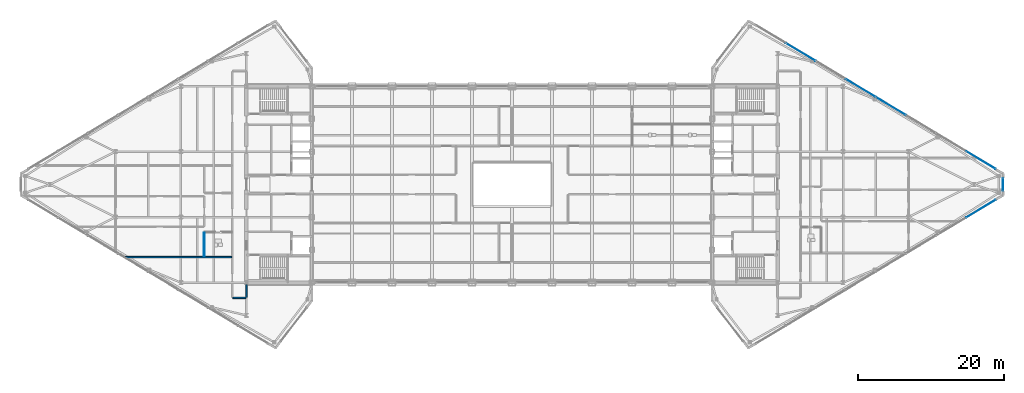
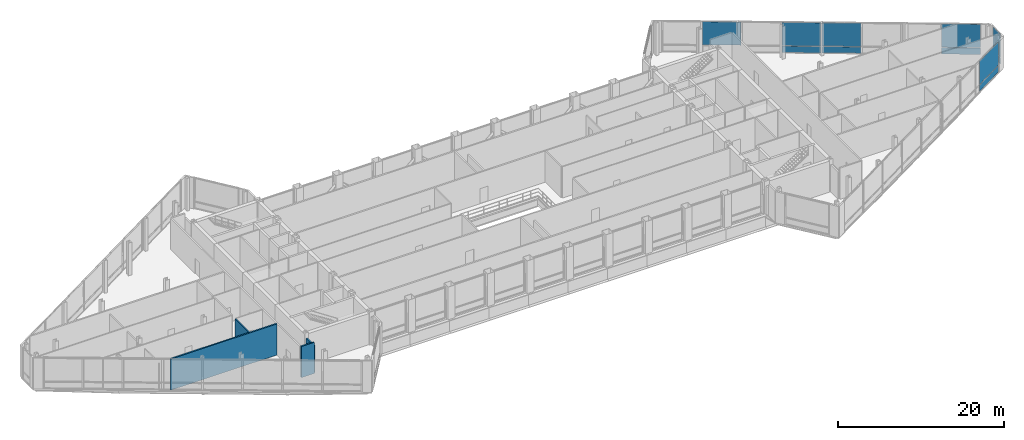
# One storey, part 21 of 30: 11 plates, 4 walls, 3 elements without a shape of their own.
"""IFC4 building model written with IfcOpenShell, lengths in metres."""

from ifc_helpers import new_model, si_unit, direction, frame, frame_2d, origin, origin_2d, place, context, subcontext, project, spatial, rectangle, extrude, source, transform, mapped, material, layer, layer_set, type_object, type_shapes, element, aggregate, save


model = new_model("IFC4")

# Units and contexts
model_context = context("Model", 3, precision=1e-05, world=origin(), true_north=direction((0.0, 1.0)))
body_context = subcontext(model_context, "Body", "Model", "MODEL_VIEW")
ifc_project = project(units=[si_unit("LENGTHUNIT", "METRE"), si_unit("AREAUNIT", "SQUARE_METRE"), si_unit("VOLUMEUNIT", "CUBIC_METRE"), si_unit("PLANEANGLEUNIT", "RADIAN"), si_unit("MASSUNIT", "GRAM", prefix="KILO")], contexts=[model_context])

# Site, building, storey
site_placement = place(None, origin())
site = spatial("IfcSite", under=ifc_project, at=site_placement, CompositionType="ELEMENT")
building_placement = place(site_placement, origin())
building = spatial("IfcBuilding", under=site, at=building_placement, Name="Seokmaru Belvedere", CompositionType="ELEMENT")
storey_placement = place(building_placement, frame((0.0, 0.0, 234.60009765625)))
storey = spatial("IfcBuildingStorey", under=building, at=storey_placement, Name="L62", CompositionType="ELEMENT", Elevation=234.60009765625)

# Curtain wall, plate
ifc_material_1 = material(Name="Bronze Triple Insulating Glass", Category="glass")
ifc_layer_1 = layer(ifc_material_1, 0.219970703125)
ifc_layer_set_1 = layer_set([ifc_layer_1], Name="Bronze Triple Insulating Glass")
curtain_wall_type = type_object("IfcCurtainWallType", Name="Sky-Gate Bridge Panorama Curtain Wall System CW-6", PredefinedType="NOTDEFINED", material=ifc_layer_set_1)
curtain_wall_1_placement = place(storey_placement, origin())
curtain_wall_1 = element("IfcCurtainWall", 1, at=curtain_wall_1_placement, inside=storey, type_object=curtain_wall_type, Name="L62 Curtain Wall EF1", PredefinedType="NOTDEFINED")
ifc_layer_2 = layer(ifc_material_1, 0.048095703125)
ifc_layer_set_2 = layer_set([ifc_layer_2], Name="Bronze Triple Insulating Glass")
plate_type_1 = type_object("IfcPlateType", Name="Insulated Bronze Spandrel Glazing Panel 48", PredefinedType="CURTAIN_PANEL", material=ifc_layer_set_2)
shared_shape_1 = source(origin(), body_context, "Body", "SweptSolid", [
    extrude(rectangle(XDim=4.694580078125, YDim=0.0419921875, at=origin_2d()), origin(), (0.0, 0.0, 1.0), 0.9375),
])
plate_1_placement = place(storey_placement, frame((64.4326171875, -3.340576171875, 0.074951171875), z_axis=(0.0, 0.0, 1.0), x_axis=(0.85749343335, 0.514494909364, 0.0)))
plate_1 = element("IfcPlate", 2, at=plate_1_placement, type_object=plate_type_1, Name="CW:L62:EF1 Glazing Panel 8-1", PredefinedType="CURTAIN_PANEL", context=body_context, shape_type="MappedRepresentation", body=[
    mapped(shared_shape_1, transform((0.0, 0.0, 0.0), scale=1.0)),
])

# Curtain wall, plates
curtain_wall_2_placement = place(storey_placement, origin())
curtain_wall_2 = element("IfcCurtainWall", 3, at=curtain_wall_2_placement, inside=storey, type_object=curtain_wall_type, Name="L62 Curtain Wall EF3", PredefinedType="NOTDEFINED")
plate_2_placement = place(storey_placement, frame((64.4326171875, 3.340576171875, 0.074951171875), z_axis=(0.0, 0.0, 1.0), x_axis=(-0.85749343335, 0.514494909364, 0.0)))
plate_2 = element("IfcPlate", 4, at=plate_2_placement, type_object=plate_type_1, Name="CW:L62:EF3 Glazing Panel 1-1", PredefinedType="CURTAIN_PANEL", context=body_context, shape_type="MappedRepresentation", body=[
    mapped(shared_shape_1, transform((0.0, 0.0, 0.0), scale=1.0)),
])
shared_shape_2 = source(origin(), body_context, "Body", "SweptSolid", [
    extrude(rectangle(XDim=4.734619140625, YDim=0.0419921875, at=origin_2d()), origin(), (0.0, 0.0, 1.0), 0.9375),
])
plate_3_placement = place(storey_placement, frame((52.064208984375, 10.761474609375, 0.074951171875), z_axis=(0.0, 0.0, 1.0), x_axis=(-0.85749343335, 0.514494909364, 0.0)))
plate_3 = element("IfcPlate", 5, at=plate_3_placement, type_object=plate_type_1, Name="CW:L62:EF3 Glazing Panel 4-1", PredefinedType="CURTAIN_PANEL", context=body_context, shape_type="MappedRepresentation", body=[
    mapped(shared_shape_2, transform((0.0, 0.0, 0.0), scale=1.0)),
])
plate_4_placement = place(storey_placement, frame((47.935791015625, 13.238525390625, 0.074951171875), z_axis=(0.0, 0.0, 1.0), x_axis=(-0.85749343335, 0.514494909364, 0.0)))
plate_4 = element("IfcPlate", 6, at=plate_4_placement, type_object=plate_type_1, Name="CW:L62:EF3 Glazing Panel 5-1", PredefinedType="CURTAIN_PANEL", context=body_context, shape_type="MappedRepresentation", body=[
    mapped(shared_shape_2, transform((0.0, 0.0, 0.0), scale=1.0)),
])

# Curtain wall, plate
curtain_wall_3_placement = place(storey_placement, origin())
curtain_wall_3 = element("IfcCurtainWall", 7, at=curtain_wall_3_placement, inside=storey, type_object=curtain_wall_type, Name="L62 Curtain Wall EF2", PredefinedType="NOTDEFINED")
shared_shape_3 = source(origin(), body_context, "Body", "SweptSolid", [
    extrude(rectangle(XDim=1.739990234375, YDim=0.0419921875, at=origin_2d()), origin(), (0.0, 0.0, 1.0), 0.9375),
])
type_shapes(plate_type_1, [shared_shape_1, shared_shape_2, shared_shape_3])
plate_5_placement = place(storey_placement, frame((67.5, 0.0, 0.074951171875), z_axis=(0.0, 0.0, 1.0), x_axis=(0.0, 1.0, 0.0)))
plate_5 = element("IfcPlate", 8, at=plate_5_placement, type_object=plate_type_1, Name="CW:L62:EF2 Glazing Panel 1-1", PredefinedType="CURTAIN_PANEL", context=body_context, shape_type="MappedRepresentation", body=[
    mapped(shared_shape_3, transform((0.0, 0.0, 0.0), scale=1.0)),
])

# Plate
ifc_layer_3 = layer(ifc_material_1, 0.0419921875)
ifc_layer_set_3 = layer_set([ifc_layer_3], Name="Bronze Triple Insulating Glass")
plate_type_2 = type_object("IfcPlateType", Name="Acoustic Laminated Panorama Glazing Panel 42", PredefinedType="CURTAIN_PANEL", material=ifc_layer_set_3)
shared_shape_4 = source(origin(), body_context, "Body", "SweptSolid", [
    extrude(rectangle(XDim=4.694580078125, YDim=0.0419921875, at=origin_2d()), origin(), (0.0, 0.0, 1.0), 3.41748046875),
])
plate_6_placement = place(storey_placement, frame((64.4326171875, -3.340576171875, 1.08740234375), z_axis=(0.0, 0.0, 1.0), x_axis=(0.85749343335, 0.514494909364, 0.0)))
plate_6 = element("IfcPlate", 9, at=plate_6_placement, type_object=plate_type_2, Name="CW:L62:EF1 Glazing Panel 8-2", PredefinedType="CURTAIN_PANEL", context=body_context, shape_type="MappedRepresentation", body=[
    mapped(shared_shape_4, transform((0.0, 0.0, 0.0), scale=1.0)),
])

aggregate(curtain_wall_1, [plate_1, plate_6])

plate_7_placement = place(storey_placement, frame((64.4326171875, 3.340576171875, 1.08740234375), z_axis=(0.0, 0.0, 1.0), x_axis=(-0.85749343335, 0.514494909364, 0.0)))
plate_7 = element("IfcPlate", 10, at=plate_7_placement, type_object=plate_type_2, Name="CW:L62:EF3 Glazing Panel 1-2", PredefinedType="CURTAIN_PANEL", context=body_context, shape_type="MappedRepresentation", body=[
    mapped(shared_shape_4, transform((0.0, 0.0, 0.0), scale=1.0)),
])

shared_shape_5 = source(origin(), body_context, "Body", "SweptSolid", [
    extrude(rectangle(XDim=4.734619140625, YDim=0.0419921875, at=origin_2d()), origin(), (0.0, 0.0, 1.0), 3.41748046875),
])
plate_8_placement = place(storey_placement, frame((52.064208984375, 10.761474609375, 1.08740234375), z_axis=(0.0, 0.0, 1.0), x_axis=(-0.85749343335, 0.514494909364, 0.0)))
plate_8 = element("IfcPlate", 11, at=plate_8_placement, type_object=plate_type_2, Name="CW:L62:EF3 Glazing Panel 4-2", PredefinedType="CURTAIN_PANEL", context=body_context, shape_type="MappedRepresentation", body=[
    mapped(shared_shape_5, transform((0.0, 0.0, 0.0), scale=1.0)),
])

plate_9_placement = place(storey_placement, frame((47.935791015625, 13.238525390625, 1.08740234375), z_axis=(0.0, 0.0, 1.0), x_axis=(-0.85749343335, 0.514494909364, 0.0)))
plate_9 = element("IfcPlate", 12, at=plate_9_placement, type_object=plate_type_2, Name="CW:L62:EF3 Glazing Panel 5-2", PredefinedType="CURTAIN_PANEL", context=body_context, shape_type="MappedRepresentation", body=[
    mapped(shared_shape_5, transform((0.0, 0.0, 0.0), scale=1.0)),
])

plate_10_placement = place(storey_placement, frame((39.6787109375, 18.192626953125, 1.08740234375), z_axis=(0.0, 0.0, 1.0), x_axis=(-0.85749343335, 0.514494909364, 0.0)))
plate_10 = element("IfcPlate", 13, at=plate_10_placement, type_object=plate_type_2, Name="CW:L62:EF3 Glazing Panel 7-2", PredefinedType="CURTAIN_PANEL", context=body_context, shape_type="MappedRepresentation", body=[
    mapped(shared_shape_5, transform((0.0, 0.0, 0.0), scale=1.0)),
])

aggregate(curtain_wall_2, [plate_2, plate_7, plate_3, plate_8, plate_4, plate_9, plate_10])

shared_shape_6 = source(origin(), body_context, "Body", "SweptSolid", [
    extrude(rectangle(XDim=1.739990234375, YDim=0.0419921875, at=origin_2d()), origin(), (0.0, 0.0, 1.0), 3.41748046875),
])
type_shapes(plate_type_2, [shared_shape_4, shared_shape_5, shared_shape_6])
plate_11_placement = place(storey_placement, frame((67.5, 0.0, 1.08740234375), z_axis=(0.0, 0.0, 1.0), x_axis=(0.0, 1.0, 0.0)))
plate_11 = element("IfcPlate", 14, at=plate_11_placement, type_object=plate_type_2, Name="CW:L62:EF2 Glazing Panel 1-2", PredefinedType="CURTAIN_PANEL", context=body_context, shape_type="MappedRepresentation", body=[
    mapped(shared_shape_6, transform((0.0, 0.0, 0.0), scale=1.0)),
])

aggregate(curtain_wall_3, [plate_5, plate_11])

# Walls
ifc_material_2 = material(Name="Fire-Rated Gypsum Shaftwall")
ifc_layer_4 = layer(ifc_material_2, 0.199951171875)
ifc_layer_set_4 = layer_set([ifc_layer_4], Name="Fire-Rated Gypsum Shaftwall")
wall_type_1 = type_object("IfcWallType", Name="Inter-Tenancy Fire Compartment Partition 200", PredefinedType="PARTITIONING", material=ifc_layer_set_4)
wall_1_placement = place(storey_placement, frame((-38.364990234375, -15.60009765625, 0.0), z_axis=(0.0, 0.0, 1.0), x_axis=(1.0, 0.0, 0.0)))
element("IfcWall", 15, at=wall_1_placement, inside=storey, type_object=wall_type_1, Name="L62 Interior Partition 001", PredefinedType="PARTITIONING", context=body_context, shape_type="SweptSolid", body=[
    extrude(rectangle(XDim=1.780029296875, YDim=0.199951171875, at=frame_2d((0.89013671875, 0.0))), origin(), (0.0, 0.0, 1.0), 4.579833984375),
])
wall_2_placement = place(storey_placement, frame((-53.343017578125, -10.0, 0.0), z_axis=(0.0, 0.0, 1.0), x_axis=(1.0, 0.0, 0.0)))
element("IfcWall", 16, at=wall_2_placement, inside=storey, type_object=wall_type_1, Name="L62 Interior Partition 004", PredefinedType="PARTITIONING", context=body_context, shape_type="SweptSolid", body=[
    extrude(rectangle(XDim=14.81298828125, YDim=0.199951171875, at=frame_2d((7.406494140625, 0.0))), origin(), (0.0, 0.0, 1.0), 4.579833984375),
])
wall_3_placement = place(storey_placement, frame((-36.5, -15.514892578125, 0.0), z_axis=(0.0, 0.0, 1.0), x_axis=(0.0, 1.0, 0.0)))
element("IfcWall", 17, at=wall_3_placement, inside=storey, type_object=wall_type_1, Name="L62 Interior Partition 031", PredefinedType="PARTITIONING", context=body_context, shape_type="SweptSolid", body=[
    extrude(rectangle(XDim=1.760009765625, YDim=0.199951171875, at=frame_2d((0.8798828125, 0.0))), origin(), (0.0, 0.0, 1.0), 3.97998046875),
])
ifc_layer_5 = layer(ifc_material_2, 0.1298828125)
ifc_layer_set_5 = layer_set([ifc_layer_5], Name="Fire-Rated Gypsum Shaftwall")
wall_type_2 = type_object("IfcWallType", Name="Moisture-Resistant Fire-Rated Bathroom Partition 130", PredefinedType="PARTITIONING", material=ifc_layer_set_5)
wall_4_placement = place(storey_placement, frame((-42.300048828125, -9.949951171875, 0.0), z_axis=(0.0, 0.0, 1.0), x_axis=(0.0, 1.0, 0.0)))
element("IfcWall", 18, at=wall_4_placement, inside=storey, type_object=wall_type_2, Name="L62 Interior Partition 027", PredefinedType="PARTITIONING", context=body_context, shape_type="SweptSolid", body=[
    extrude(rectangle(XDim=3.300048828125, YDim=0.1298828125, at=frame_2d((1.64990234375, 0.0))), origin(), (0.0, 0.0, 1.0), 4.579833984375),
])

save(model, "model.ifc")
